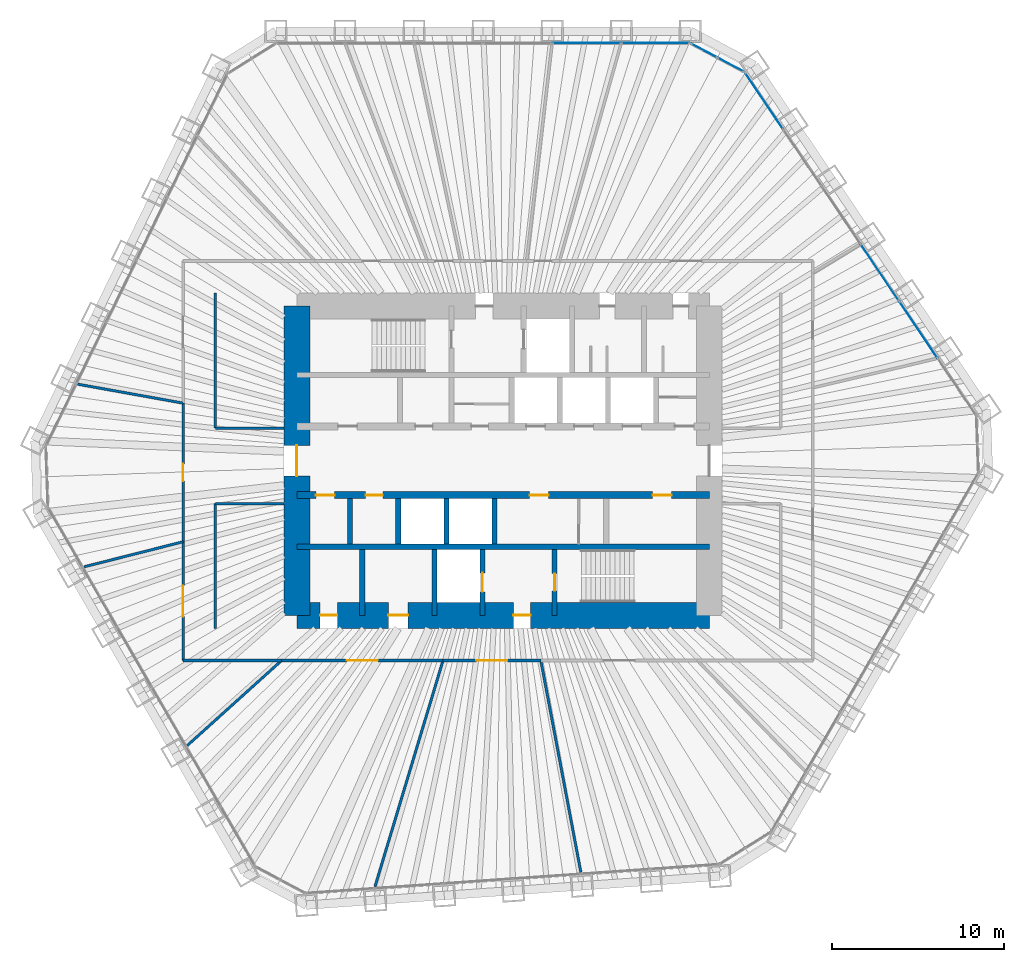
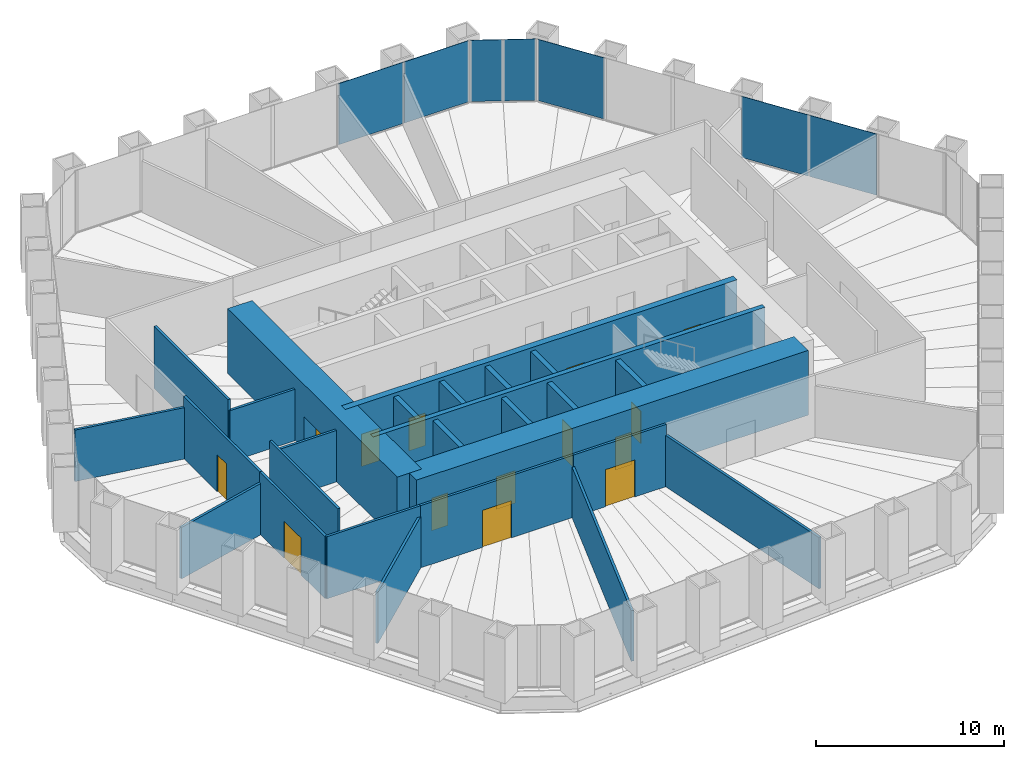
# One storey, part 10 of 13: 26 walls, 14 doors, 7 plates, 14 openings, 3 elements without a shape of their own.
"""IFC4 building model written with IfcOpenShell, lengths in metres."""

from ifc_helpers import new_model, si_unit, direction, frame, frame_2d, origin, origin_2d, place, context, subcontext, project, spatial, rectangle, extrude, material, layer, layer_set, type_object, element, fill, aggregate, save


model = new_model("IFC4")

# Units and contexts
model_context = context("Model", 3, precision=1e-05, world=origin(), true_north=direction((0.0, 1.0)))
body_context = subcontext(model_context, "Body", "Model", "MODEL_VIEW")
ifc_project = project(units=[si_unit("LENGTHUNIT", "METRE"), si_unit("AREAUNIT", "SQUARE_METRE"), si_unit("VOLUMEUNIT", "CUBIC_METRE"), si_unit("PLANEANGLEUNIT", "RADIAN"), si_unit("MASSUNIT", "GRAM", prefix="KILO")], contexts=[model_context])

# Site, building, storey
site_placement = place(None, origin())
site = spatial("IfcSite", under=ifc_project, at=site_placement, CompositionType="ELEMENT")
building_placement = place(site_placement, origin())
building = spatial("IfcBuilding", under=site, at=building_placement, Name="Qingtian Harvest Tower", CompositionType="ELEMENT")
storey_placement = place(building_placement, frame((0.0, 0.0, 132.39990234375)))
storey = spatial("IfcBuildingStorey", under=building, at=storey_placement, Name="L27", CompositionType="ELEMENT", Elevation=132.39990234375)

# Curtain wall, plates
ifc_material_1 = material(Name="Bronze-anodised aluminium curtain wall", Category="aluminium")
curtain_wall_type = type_object("IfcCurtainWallType", Name="Curtain wall CW4 office", PredefinedType="USERDEFINED", material=ifc_material_1)
curtain_wall_1_placement = place(storey_placement, origin())
curtain_wall_1 = element("IfcCurtainWall", 1, at=curtain_wall_1_placement, inside=storey, type_object=curtain_wall_type, Name="Curtain wall CW4 L27 N0-5", ObjectType="RECESSED CURTAIN WALL", PredefinedType="USERDEFINED")
ifc_material_2 = material(Name="Bronze-tinted laminated insulating glass", Category="glass")
ifc_layer_1 = layer(ifc_material_2, 0.030029296875)
ifc_layer_set_1 = layer_set([ifc_layer_1], Name="Glazed panel CWP tinted IGU")
plate_type = type_object("IfcPlateType", Name="Glazed panel CWP tinted IGU", PredefinedType="CURTAIN_PANEL", material=ifc_layer_set_1)
plate_1_placement = place(storey_placement, frame((4.864013671875, 24.300048828125, 0.06494140625), z_axis=(0.0, 0.0, 1.0), x_axis=(1.0, 0.0, 0.0)))
plate_1 = element("IfcPlate", 2, at=plate_1_placement, type_object=plate_type, Name="CW4 panel 5.1", PredefinedType="CURTAIN_PANEL", context=body_context, shape_type="SweptSolid", body=[
    extrude(rectangle(XDim=3.9541015625, YDim=0.030029296875, at=origin_2d()), origin(), (0.0, 0.0, 1.0), 3.965087890625),
])
plate_2_placement = place(storey_placement, frame((8.866943359375, 24.300048828125, 0.06494140625), z_axis=(0.0, 0.0, 1.0), x_axis=(1.0, 0.0, 0.0)))
plate_2 = element("IfcPlate", 3, at=plate_2_placement, type_object=plate_type, Name="CW4 panel 6.1", PredefinedType="CURTAIN_PANEL", context=body_context, shape_type="SweptSolid", body=[
    extrude(rectangle(XDim=3.921630859375, YDim=0.030029296875, at=origin_2d()), origin(), (0.0, 0.0, 1.0), 3.965087890625),
])
aggregate(curtain_wall_1, [plate_1, plate_2])

curtain_wall_2_placement = place(storey_placement, origin())
curtain_wall_2 = element("IfcCurtainWall", 4, at=curtain_wall_2_placement, inside=storey, type_object=curtain_wall_type, Name="Curtain wall CW4 L27 NC", ObjectType="RECESSED CURTAIN WALL", PredefinedType="USERDEFINED")
plate_3_placement = place(storey_placement, frame((11.697509765625, 23.8720703125, 0.06494140625), z_axis=(0.0, 0.0, 1.0), x_axis=(0.882947592859, -0.469471562786, 0.0)))
plate_3 = element("IfcPlate", 5, at=plate_3_placement, type_object=plate_type, Name="CW4 panel 1.1", PredefinedType="CURTAIN_PANEL", context=body_context, shape_type="SweptSolid", body=[
    extrude(rectangle(XDim=1.69287109375, YDim=0.030029296875, at=origin_2d()), origin(), (0.0, 0.0, 1.0), 3.965087890625),
])
plate_4_placement = place(storey_placement, frame((13.249755859375, 23.046875, 0.06494140625), z_axis=(0.0, 0.0, 1.0), x_axis=(0.882947592859, -0.469471562786, 0.0)))
plate_4 = element("IfcPlate", 6, at=plate_4_placement, type_object=plate_type, Name="CW4 panel 2.1", PredefinedType="CURTAIN_PANEL", context=body_context, shape_type="SweptSolid", body=[
    extrude(rectangle(XDim=1.69287109375, YDim=0.030029296875, at=origin_2d()), origin(), (0.0, 0.0, 1.0), 3.965087890625),
])
aggregate(curtain_wall_2, [plate_3, plate_4])

curtain_wall_3_placement = place(storey_placement, origin())
curtain_wall_3 = element("IfcCurtainWall", 7, at=curtain_wall_3_placement, inside=storey, type_object=curtain_wall_type, Name="Curtain wall CW4 L27 NE0-5", ObjectType="RECESSED CURTAIN WALL", PredefinedType="USERDEFINED")
plate_5_placement = place(storey_placement, frame((15.187255859375, 20.939453125, 0.06494140625), z_axis=(0.0, 0.0, 1.0), x_axis=(0.559192903471, -0.829037572555, 0.0)))
plate_5 = element("IfcPlate", 8, at=plate_5_placement, type_object=plate_type, Name="CW4 panel 1.1", PredefinedType="CURTAIN_PANEL", context=body_context, shape_type="SweptSolid", body=[
    extrude(rectangle(XDim=3.921630859375, YDim=0.030029296875, at=origin_2d()), origin(), (0.0, 0.0, 1.0), 3.965087890625),
])
plate_6_placement = place(storey_placement, frame((21.92041015625, 10.95703125, 0.06494140625), z_axis=(0.0, 0.0, 1.0), x_axis=(0.559192903471, -0.829037572555, 0.0)))
plate_6 = element("IfcPlate", 9, at=plate_6_placement, type_object=plate_type, Name="CW4 panel 4.1", PredefinedType="CURTAIN_PANEL", context=body_context, shape_type="SweptSolid", body=[
    extrude(rectangle(XDim=3.9541015625, YDim=0.030029296875, at=origin_2d()), origin(), (0.0, 0.0, 1.0), 3.965087890625),
])
plate_7_placement = place(storey_placement, frame((24.16796875, 7.625, 0.06494140625), z_axis=(0.0, 0.0, 1.0), x_axis=(0.559192903471, -0.829037572555, 0.0)))
plate_7 = element("IfcPlate", 10, at=plate_7_placement, type_object=plate_type, Name="CW4 panel 5.1", PredefinedType="CURTAIN_PANEL", context=body_context, shape_type="SweptSolid", body=[
    extrude(rectangle(XDim=3.9541015625, YDim=0.030029296875, at=origin_2d()), origin(), (0.0, 0.0, 1.0), 3.965087890625),
])
aggregate(curtain_wall_3, [plate_5, plate_6, plate_7])

# Wall
ifc_material_3 = material(Name="Concrete fc' 70 MPa", Category="concrete")
ifc_layer_2 = layer(ifc_material_3, 0.300048828125)
ifc_layer_set_2 = layer_set([ifc_layer_2], Name="Core inner wall RC5 300")
wall_type_1 = type_object("IfcWallType", Name="Core inner wall RC5 300", PredefinedType="SHEAR", material=ifc_layer_set_2)
wall_1_placement = place(storey_placement, frame((-12.0, -5.0, 0.0), z_axis=(0.0, 0.0, 1.0), x_axis=(1.0, 0.0, 0.0)))
element("IfcWall", 11, at=wall_1_placement, inside=storey, type_object=wall_type_1, Name="Core wall IS5 L27", PredefinedType="SHEAR", context=body_context, shape_type="SweptSolid", body=[
    extrude(rectangle(XDim=24.0, YDim=0.300048828125, at=frame_2d((12.0, 0.0))), origin(), (0.0, 0.0, 1.0), 4.2001953125),
])

# Wall, openings, doors
ifc_material_4 = material(Name="Concrete fc' 70 MPa", Category="concrete")
ifc_layer_3 = layer(ifc_material_4, 0.39990234375)
ifc_layer_set_3 = layer_set([ifc_layer_3], Name="Core inner web RC6 400")
wall_type_2 = type_object("IfcWallType", Name="Core inner web RC6 400", PredefinedType="SHEAR", material=ifc_layer_set_3)
wall_2_placement = place(storey_placement, frame((-12.0, -2.0, 0.0), z_axis=(0.0, 0.0, 1.0), x_axis=(1.0, 0.0, 0.0)))
wall_2 = element("IfcWall", 12, at=wall_2_placement, inside=storey, type_object=wall_type_2, Name="Core wall IS2 L27", PredefinedType="SHEAR", context=body_context, shape_type="SweptSolid", body=[
    extrude(rectangle(XDim=24.0, YDim=0.39990234375, at=frame_2d((12.0, 0.0))), origin(), (0.0, 0.0, 1.0), 4.2001953125),
])
opening_1_placement = place(wall_2_placement, frame((1.10009765625, 0.0, 0.0)))
opening_1 = element("IfcOpeningElement", 13, at=opening_1_placement, cuts=wall_2, Name="Opening FD4", PredefinedType="OPENING", context=body_context, shape_type="SweptSolid", body=[
    extrude(rectangle(XDim=1.10009765625, YDim=2.10009765625, at=frame_2d((0.550048828125, 1.050048828125))), frame((0.0, 0.2099609375, 0.0), z_axis=(0.0, -1.0, 0.0), x_axis=(1.0, 0.0, 0.0)), (0.0, 0.0, 1.0), 0.419921875),
])
opening_2_placement = place(wall_2_placement, frame((13.550048828125, 0.0, 0.0)))
opening_2 = element("IfcOpeningElement", 14, at=opening_2_placement, cuts=wall_2, Name="Opening FD4", PredefinedType="OPENING", context=body_context, shape_type="SweptSolid", body=[
    extrude(rectangle(XDim=1.10009765625, YDim=2.10009765625, at=frame_2d((0.550048828125, 1.050048828125))), frame((0.0, 0.2099609375, 0.0), z_axis=(0.0, -1.0, 0.0), x_axis=(1.0, 0.0, 0.0)), (0.0, 0.0, 1.0), 0.419921875),
])
opening_3_placement = place(wall_2_placement, frame((20.699951171875, 0.0, 0.0)))
opening_3 = element("IfcOpeningElement", 15, at=opening_3_placement, cuts=wall_2, Name="Opening FD4", PredefinedType="OPENING", context=body_context, shape_type="SweptSolid", body=[
    extrude(rectangle(XDim=1.10009765625, YDim=2.10009765625, at=frame_2d((0.550048828125, 1.050048828125))), frame((0.0, 0.2099609375, 0.0), z_axis=(0.0, -1.0, 0.0), x_axis=(1.0, 0.0, 0.0)), (0.0, 0.0, 1.0), 0.419921875),
])
opening_4_placement = place(wall_2_placement, frame((4.0, 0.0, 0.0)))
opening_4 = element("IfcOpeningElement", 16, at=opening_4_placement, cuts=wall_2, Name="Opening FD1", PredefinedType="OPENING", context=body_context, shape_type="SweptSolid", body=[
    extrude(rectangle(XDim=1.0, YDim=2.10009765625, at=frame_2d((0.5, 1.050048828125))), frame((0.0, 0.2099609375, 0.0), z_axis=(0.0, -1.0, 0.0), x_axis=(1.0, 0.0, 0.0)), (0.0, 0.0, 1.0), 0.419921875),
])
ifc_material_5 = material(Name="Steel-faced door leaf", Category="steel")
door_type_1 = type_object("IfcDoorType", Name="Fire door FD1 single 1 HR", OperationType="SINGLE_SWING_LEFT", PredefinedType="DOOR", material=ifc_material_5)
door_1_placement = place(opening_4_placement, origin())
door_1 = element("IfcDoor", 17, at=door_1_placement, inside=storey, type_object=door_type_1, Name="IT room door L27", OperationType="SINGLE_SWING_RIGHT", OverallHeight=2.10009765625, OverallWidth=1.0, PredefinedType="DOOR", context=body_context, shape_type="SweptSolid", body=[
    extrude(rectangle(XDim=1.0, YDim=2.10009765625, at=frame_2d((0.5, 1.050048828125))), frame((0.0, 0.02490234375, 0.0), z_axis=(0.0, -1.0, 0.0), x_axis=(1.0, 0.0, 0.0)), (0.0, 0.0, 1.0), 0.050048828125),
])
fill(opening_4, door_1)
ifc_material_6 = material(Name="Steel-faced door leaf", Category="steel")
door_type_2 = type_object("IfcDoorType", Name="Fire door FD4 single 2 HR", OperationType="SINGLE_SWING_LEFT", PredefinedType="DOOR", material=ifc_material_6)
door_2_placement = place(opening_1_placement, origin())
door_2 = element("IfcDoor", 18, at=door_2_placement, inside=storey, type_object=door_type_2, Name="RB door L27", OperationType="SINGLE_SWING_LEFT", OverallHeight=2.10009765625, OverallWidth=1.10009765625, PredefinedType="DOOR", context=body_context, shape_type="SweptSolid", body=[
    extrude(rectangle(XDim=1.10009765625, YDim=2.10009765625, at=frame_2d((0.550048828125, 1.050048828125))), frame((0.0, 0.02490234375, 0.0), z_axis=(0.0, -1.0, 0.0), x_axis=(1.0, 0.0, 0.0)), (0.0, 0.0, 1.0), 0.050048828125),
])
fill(opening_1, door_2)
door_3_placement = place(opening_2_placement, origin())
door_3 = element("IfcDoor", 19, at=door_3_placement, inside=storey, type_object=door_type_2, Name="ELEC door L27", OperationType="SINGLE_SWING_LEFT", OverallHeight=2.10009765625, OverallWidth=1.10009765625, PredefinedType="DOOR", context=body_context, shape_type="SweptSolid", body=[
    extrude(rectangle(XDim=1.10009765625, YDim=2.10009765625, at=frame_2d((0.550048828125, 1.050048828125))), frame((0.0, 0.02490234375, 0.0), z_axis=(0.0, -1.0, 0.0), x_axis=(1.0, 0.0, 0.0)), (0.0, 0.0, 1.0), 0.050048828125),
])
fill(opening_2, door_3)
door_4_placement = place(opening_3_placement, origin())
door_4 = element("IfcDoor", 20, at=door_4_placement, inside=storey, type_object=door_type_2, Name="DUCT door L27", OperationType="SINGLE_SWING_RIGHT", OverallHeight=2.10009765625, OverallWidth=1.10009765625, PredefinedType="DOOR", context=body_context, shape_type="SweptSolid", body=[
    extrude(rectangle(XDim=1.10009765625, YDim=2.10009765625, at=frame_2d((0.550048828125, 1.050048828125))), frame((0.0, 0.02490234375, 0.0), z_axis=(0.0, -1.0, 0.0), x_axis=(1.0, 0.0, 0.0)), (0.0, 0.0, 1.0), 0.050048828125),
])
fill(opening_3, door_4)

# Walls
ifc_material_7 = material(Name="Precast concrete shaft panel", Category="concrete")
ifc_layer_4 = layer(ifc_material_7, 0.300048828125)
ifc_layer_set_4 = layer_set([ifc_layer_4], Name="Core shaft partition SW1 300")
wall_type_3 = type_object("IfcWallType", Name="Core shaft partition SW1 300", PredefinedType="PARTITIONING", material=ifc_layer_set_4)
for number, where, z_axis, x_axis, name in (
    (21, (-8.89990234375, -4.85009765625, 0.0), (0.0, 0.0, 1.0), (0.0, 1.0, 0.0), "Core shaft partition XB1 L27"),
    (22, (-6.10009765625, -4.85009765625, 0.0), (0.0, 0.0, 1.0), (0.0, 1.0, 0.0), "Core shaft partition XB2 L27"),
    (23, (-3.300048828125, -4.85009765625, 0.0), (0.0, 0.0, 1.0), (0.0, 1.0, 0.0), "Core shaft partition XB3 L27"),
    (24, (-0.5, -4.85009765625, 0.0), (0.0, 0.0, 1.0), (0.0, 1.0, 0.0), "Core shaft partition XB4 L27"),
):
    element("IfcWall", number, at=place(storey_placement, frame(where, z_axis=z_axis, x_axis=x_axis)), inside=storey, type_object=wall_type_3, Name=name, PredefinedType="PARTITIONING", context=body_context, shape_type="SweptSolid", body=[
        extrude(rectangle(XDim=2.650146484375, YDim=0.300048828125, at=frame_2d((1.3251953125, 0.0))), origin(), (0.0, 0.0, 1.0), 3.97998046875),
    ])
for number, where, z_axis, x_axis, name in (
    (25, (-8.199951171875, -9.0, 0.0), (0.0, 0.0, 1.0), (0.0, 1.0, 0.0), "Core shaft partition XS1 L27"),
    (26, (-4.0, -9.0, 0.0), (0.0, 0.0, 1.0), (0.0, 1.0, 0.0), "Core shaft partition XS2 L27"),
):
    element("IfcWall", number, at=place(storey_placement, frame(where, z_axis=z_axis, x_axis=x_axis)), inside=storey, type_object=wall_type_3, Name=name, PredefinedType="PARTITIONING", context=body_context, shape_type="SweptSolid", body=[
        extrude(rectangle(XDim=3.85009765625, YDim=0.300048828125, at=frame_2d((1.925048828125, 0.0))), origin(), (0.0, 0.0, 1.0), 3.97998046875),
    ])

# Wall, opening, door
wall_3_placement = place(storey_placement, frame((-1.199951171875, -9.0, 0.0), z_axis=(0.0, 0.0, 1.0), x_axis=(0.0, 1.0, 0.0)))
wall_3 = element("IfcWall", 27, at=wall_3_placement, inside=storey, type_object=wall_type_3, Name="Core shaft partition XS3 L27", PredefinedType="PARTITIONING", context=body_context, shape_type="SweptSolid", body=[
    extrude(rectangle(XDim=3.85009765625, YDim=0.300048828125, at=frame_2d((1.925048828125, 0.0))), origin(), (0.0, 0.0, 1.0), 3.97998046875),
])
opening_5_placement = place(wall_3_placement, frame((1.375, 0.0, 0.0)))
opening_5 = element("IfcOpeningElement", 28, at=opening_5_placement, cuts=wall_3, Name="Opening LD1", PredefinedType="OPENING", context=body_context, shape_type="SweptSolid", body=[
    extrude(rectangle(XDim=1.10009765625, YDim=2.39990234375, at=frame_2d((0.550048828125, 1.199951171875))), frame((0.0, 0.159912109375, 0.0), z_axis=(0.0, -1.0, 0.0), x_axis=(1.0, 0.0, 0.0)), (0.0, 0.0, 1.0), 0.320068359375),
])
ifc_material_8 = material(Name="Stainless steel lift landing door", Category="steel")
door_type_3 = type_object("IfcDoorType", Name="Lift landing door LD1 1 HR", OperationType="DOUBLE_DOOR_SLIDING", PredefinedType="DOOR", material=ifc_material_8)
door_5_placement = place(opening_5_placement, origin())
door_5 = element("IfcDoor", 29, at=door_5_placement, inside=storey, type_object=door_type_3, Name="FL2 landing door L27", OperationType="DOUBLE_DOOR_SLIDING", OverallHeight=2.39990234375, OverallWidth=1.10009765625, PredefinedType="DOOR", context=body_context, shape_type="SweptSolid", body=[
    extrude(rectangle(XDim=1.10009765625, YDim=2.39990234375, at=frame_2d((0.550048828125, 1.199951171875))), frame((0.0, 0.02490234375, 0.0), z_axis=(0.0, -1.0, 0.0), x_axis=(1.0, 0.0, 0.0)), (0.0, 0.0, 1.0), 0.050048828125),
])
fill(opening_5, door_5)

wall_4_placement = place(storey_placement, frame((3.0, -9.0, 0.0), z_axis=(0.0, 0.0, 1.0), x_axis=(0.0, 1.0, 0.0)))
wall_4 = element("IfcWall", 30, at=wall_4_placement, inside=storey, type_object=wall_type_3, Name="Core shaft partition XS4 L27", PredefinedType="PARTITIONING", context=body_context, shape_type="SweptSolid", body=[
    extrude(rectangle(XDim=3.85009765625, YDim=0.300048828125, at=frame_2d((1.925048828125, 0.0))), origin(), (0.0, 0.0, 1.0), 3.97998046875),
])
opening_6_placement = place(wall_4_placement, frame((1.425048828125, 0.0, 0.0)))
opening_6 = element("IfcOpeningElement", 31, at=opening_6_placement, cuts=wall_4, Name="Opening FD1", PredefinedType="OPENING", context=body_context, shape_type="SweptSolid", body=[
    extrude(rectangle(XDim=1.0, YDim=2.10009765625, at=frame_2d((0.5, 1.050048828125))), frame((0.0, 0.159912109375, 0.0), z_axis=(0.0, -1.0, 0.0), x_axis=(1.0, 0.0, 0.0)), (0.0, 0.0, 1.0), 0.320068359375),
])
door_6_placement = place(opening_6_placement, origin())
door_6 = element("IfcDoor", 32, at=door_6_placement, inside=storey, type_object=door_type_1, Name="S2 door L27", OperationType="SINGLE_SWING_RIGHT", OverallHeight=2.10009765625, OverallWidth=1.0, PredefinedType="DOOR", context=body_context, shape_type="SweptSolid", body=[
    extrude(rectangle(XDim=1.0, YDim=2.10009765625, at=frame_2d((0.5, 1.050048828125))), frame((0.0, 0.02490234375, 0.0), z_axis=(0.0, -1.0, 0.0), x_axis=(1.0, 0.0, 0.0)), (0.0, 0.0, 1.0), 0.050048828125),
])
fill(opening_6, door_6)

# Wall, openings, doors
ifc_material_9 = material(Name="Concrete fc' 70 MPa", Category="concrete")
ifc_layer_5 = layer(ifc_material_9, 1.5)
ifc_layer_set_5 = layer_set([ifc_layer_5], Name="Core wall RC1 1500")
wall_type_4 = type_object("IfcWallType", Name="Core wall RC1 1500", PredefinedType="SHEAR", material=ifc_layer_set_5)
wall_5_placement = place(storey_placement, frame((-12.0, -9.0, 0.0), z_axis=(0.0, 0.0, 1.0), x_axis=(1.0, 0.0, 0.0)))
wall_5 = element("IfcWall", 33, at=wall_5_placement, inside=storey, type_object=wall_type_4, Name="Core wall CS L27", PredefinedType="SHEAR", context=body_context, shape_type="SweptSolid", body=[
    extrude(rectangle(XDim=24.0, YDim=1.5, at=frame_2d((12.0, 0.0))), origin(), (0.0, 0.0, 1.0), 4.2001953125),
])
opening_7_placement = place(wall_5_placement, frame((1.35009765625, 0.0, 0.0)))
opening_7 = element("IfcOpeningElement", 34, at=opening_7_placement, cuts=wall_5, Name="Opening FD1", PredefinedType="OPENING", context=body_context, shape_type="SweptSolid", body=[
    extrude(rectangle(XDim=1.0, YDim=2.10009765625, at=frame_2d((0.5, 1.050048828125))), frame((0.0, 0.760009765625, 0.0), z_axis=(0.0, -1.0, 0.0), x_axis=(1.0, 0.0, 0.0)), (0.0, 0.0, 1.0), 1.52001953125),
])
opening_8_placement = place(wall_5_placement, frame((5.324951171875, 0.0, 0.0)))
opening_8 = element("IfcOpeningElement", 35, at=opening_8_placement, cuts=wall_5, Name="Opening AD1", PredefinedType="OPENING", context=body_context, shape_type="SweptSolid", body=[
    extrude(rectangle(XDim=1.14990234375, YDim=2.10009765625, at=frame_2d((0.574951171875, 1.050048828125))), frame((0.0, 0.760009765625, 0.0), z_axis=(0.0, -1.0, 0.0), x_axis=(1.0, 0.0, 0.0)), (0.0, 0.0, 1.0), 1.52001953125),
])
opening_9_placement = place(wall_5_placement, frame((12.60009765625, 0.0, 0.0)))
opening_9 = element("IfcOpeningElement", 36, at=opening_9_placement, cuts=wall_5, Name="Opening FD1", PredefinedType="OPENING", context=body_context, shape_type="SweptSolid", body=[
    extrude(rectangle(XDim=1.0, YDim=2.10009765625, at=frame_2d((0.5, 1.050048828125))), frame((0.0, 0.760009765625, 0.0), z_axis=(0.0, -1.0, 0.0), x_axis=(1.0, 0.0, 0.0)), (0.0, 0.0, 1.0), 1.52001953125),
])
ifc_material_10 = material(Name="Laminated timber door leaf", Category="wood")
door_type_4 = type_object("IfcDoorType", Name="Accessible WC door AD1 single", OperationType="SINGLE_SWING_LEFT", PredefinedType="DOOR", material=ifc_material_10)
door_7_placement = place(opening_8_placement, origin())
door_7 = element("IfcDoor", 37, at=door_7_placement, inside=storey, type_object=door_type_4, Name="AWC door L27", OperationType="SINGLE_SWING_RIGHT", OverallHeight=2.10009765625, OverallWidth=1.14990234375, PredefinedType="DOOR", context=body_context, shape_type="SweptSolid", body=[
    extrude(rectangle(XDim=1.14990234375, YDim=2.10009765625, at=frame_2d((0.574951171875, 1.050048828125))), frame((0.0, 0.02490234375, 0.0), z_axis=(0.0, -1.0, 0.0), x_axis=(1.0, 0.0, 0.0)), (0.0, 0.0, 1.0), 0.050048828125),
])
fill(opening_8, door_7)
door_8_placement = place(opening_7_placement, origin())
door_8 = element("IfcDoor", 38, at=door_8_placement, inside=storey, type_object=door_type_1, Name="CLN door L27", OperationType="SINGLE_SWING_LEFT", OverallHeight=2.10009765625, OverallWidth=1.0, PredefinedType="DOOR", context=body_context, shape_type="SweptSolid", body=[
    extrude(rectangle(XDim=1.0, YDim=2.10009765625, at=frame_2d((0.5, 1.050048828125))), frame((0.0, 0.02490234375, 0.0), z_axis=(0.0, -1.0, 0.0), x_axis=(1.0, 0.0, 0.0)), (0.0, 0.0, 1.0), 0.050048828125),
])
fill(opening_7, door_8)
door_9_placement = place(opening_9_placement, origin())
door_9 = element("IfcDoor", 39, at=door_9_placement, inside=storey, type_object=door_type_1, Name="V2 door L27", OperationType="SINGLE_SWING_RIGHT", OverallHeight=2.10009765625, OverallWidth=1.0, PredefinedType="DOOR", context=body_context, shape_type="SweptSolid", body=[
    extrude(rectangle(XDim=1.0, YDim=2.10009765625, at=frame_2d((0.5, 1.050048828125))), frame((0.0, 0.02490234375, 0.0), z_axis=(0.0, -1.0, 0.0), x_axis=(1.0, 0.0, 0.0)), (0.0, 0.0, 1.0), 0.050048828125),
])
fill(opening_9, door_9)

# Wall, opening, door
wall_6_placement = place(storey_placement, frame((-12.0, -9.0, 0.0), z_axis=(0.0, 0.0, 1.0), x_axis=(0.0, 1.0, 0.0)))
wall_6 = element("IfcWall", 40, at=wall_6_placement, inside=storey, type_object=wall_type_4, Name="Core wall CW L27", PredefinedType="SHEAR", context=body_context, shape_type="SweptSolid", body=[
    extrude(rectangle(XDim=18.0, YDim=1.5, at=frame_2d((9.0, 0.0))), origin(), (0.0, 0.0, 1.0), 4.2001953125),
])
opening_10_placement = place(wall_6_placement, frame((8.10009765625, 0.0, 0.0)))
opening_10 = element("IfcOpeningElement", 41, at=opening_10_placement, cuts=wall_6, Name="Opening FD2", PredefinedType="OPENING", context=body_context, shape_type="SweptSolid", body=[
    extrude(rectangle(XDim=1.800048828125, YDim=2.10009765625, at=frame_2d((0.89990234375, 1.050048828125))), frame((0.0, 0.760009765625, 0.0), z_axis=(0.0, -1.0, 0.0), x_axis=(1.0, 0.0, 0.0)), (0.0, 0.0, 1.0), 1.52001953125),
])
ifc_material_11 = material(Name="Steel-faced door leaf", Category="steel")
door_type_5 = type_object("IfcDoorType", Name="Fire door FD2 double 1 HR", OperationType="DOUBLE_DOOR_DOUBLE_SWING", PredefinedType="DOOR", material=ifc_material_11)
door_10_placement = place(opening_10_placement, origin())
door_10 = element("IfcDoor", 42, at=door_10_placement, inside=storey, type_object=door_type_5, Name="LOBBY-W door L27", OperationType="DOUBLE_DOOR_DOUBLE_SWING", OverallHeight=2.10009765625, OverallWidth=1.800048828125, PredefinedType="DOOR", context=body_context, shape_type="SweptSolid", body=[
    extrude(rectangle(XDim=1.800048828125, YDim=2.10009765625, at=frame_2d((0.89990234375, 1.050048828125))), frame((0.0, 0.02490234375, 0.0), z_axis=(0.0, -1.0, 0.0), x_axis=(1.0, 0.0, 0.0)), (0.0, 0.0, 1.0), 0.050048828125),
])
fill(opening_10, door_10)

# Wall
ifc_material_12 = material(Name="Gypsum board on steel studs", Category="steel")
ifc_layer_6 = layer(ifc_material_12, 0.14990234375)
ifc_layer_set_6 = layer_set([ifc_layer_6], Name="Partition PT1 150")
wall_type_5 = type_object("IfcWallType", Name="Partition PT1 150", PredefinedType="PARTITIONING", material=ifc_layer_set_6)
wall_7_placement = place(storey_placement, frame((4.524169921875, -23.943359375, 0.0), z_axis=(0.0, 0.0, 1.0), x_axis=(-0.185671124909, 0.98261194445, 0.0)))
element("IfcWall", 43, at=wall_7_placement, inside=storey, type_object=wall_type_5, Name="Seminar room wall L27", PredefinedType="PARTITIONING", context=body_context, shape_type="SweptSolid", body=[
    extrude(rectangle(XDim=12.536376953125, YDim=0.14990234375, at=frame_2d((6.26806640625, 0.0))), origin(), (0.0, 0.0, 1.0), 3.330078125),
])

# Wall, opening, door
wall_8_placement = place(storey_placement, frame((2.196533203125, -11.625, 0.0), z_axis=(0.0, 0.0, 1.0), x_axis=(-1.0, 0.0, 0.0)))
wall_8 = element("IfcWall", 44, at=wall_8_placement, inside=storey, type_object=wall_type_5, Name="Seminar room wall L27", PredefinedType="PARTITIONING", context=body_context, shape_type="SweptSolid", body=[
    extrude(rectangle(XDim=5.693603515625, YDim=0.14990234375, at=frame_2d((2.8466796875, 0.0))), origin(), (0.0, 0.0, 1.0), 4.030029296875),
])
opening_11_placement = place(wall_8_placement, frame((1.94677734375, 0.0, 0.0)))
opening_11 = element("IfcOpeningElement", 45, at=opening_11_placement, cuts=wall_8, Name="Opening D3", PredefinedType="OPENING", context=body_context, shape_type="SweptSolid", body=[
    extrude(rectangle(XDim=1.800048828125, YDim=2.39990234375, at=frame_2d((0.89990234375, 1.199951171875))), frame((0.0, 0.0849609375, 0.0), z_axis=(0.0, -1.0, 0.0), x_axis=(1.0, 0.0, 0.0)), (0.0, 0.0, 1.0), 0.169921875),
])
ifc_material_13 = material(Name="Laminated timber door leaf", Category="wood")
door_type_6 = type_object("IfcDoorType", Name="Room door D3 double", OperationType="DOUBLE_DOOR_DOUBLE_SWING", PredefinedType="DOOR", material=ifc_material_13)
door_11_placement = place(opening_11_placement, origin())
door_11 = element("IfcDoor", 46, at=door_11_placement, inside=storey, type_object=door_type_6, Name="Seminar room door L27", OperationType="DOUBLE_DOOR_DOUBLE_SWING", OverallHeight=2.39990234375, OverallWidth=1.800048828125, PredefinedType="DOOR", context=body_context, shape_type="SweptSolid", body=[
    extrude(rectangle(XDim=1.800048828125, YDim=2.39990234375, at=frame_2d((0.89990234375, 1.199951171875))), frame((0.0, 0.02490234375, 0.0), z_axis=(0.0, -1.0, 0.0), x_axis=(1.0, 0.0, 0.0)), (0.0, 0.0, 1.0), 0.050048828125),
])
fill(opening_11, door_11)

# Wall
wall_9_placement = place(storey_placement, frame((-7.456298828125, -24.787109375, 0.0), z_axis=(0.0, 0.0, 1.0), x_axis=(0.288055049501, 0.957613851433, 0.0)))
element("IfcWall", 47, at=wall_9_placement, inside=storey, type_object=wall_type_5, Name="Office suite wall L27", PredefinedType="PARTITIONING", context=body_context, shape_type="SweptSolid", body=[
    extrude(rectangle(XDim=13.74462890625, YDim=0.14990234375, at=frame_2d((6.872314453125, 0.0))), origin(), (0.0, 0.0, 1.0), 3.280029296875),
])

# Wall, opening, door
wall_10_placement = place(storey_placement, frame((-3.4970703125, -11.625, 0.0), z_axis=(0.0, 0.0, 1.0), x_axis=(-1.0, 0.0, 0.0)))
wall_10 = element("IfcWall", 48, at=wall_10_placement, inside=storey, type_object=wall_type_5, Name="Office suite wall L27", PredefinedType="PARTITIONING", context=body_context, shape_type="SweptSolid", body=[
    extrude(rectangle(XDim=9.39501953125, YDim=0.14990234375, at=frame_2d((4.697509765625, 0.0))), origin(), (0.0, 0.0, 1.0), 4.030029296875),
])
opening_12_placement = place(wall_10_placement, frame((3.797607421875, 0.0, 0.0)))
opening_12 = element("IfcOpeningElement", 49, at=opening_12_placement, cuts=wall_10, Name="Opening D3", PredefinedType="OPENING", context=body_context, shape_type="SweptSolid", body=[
    extrude(rectangle(XDim=1.800048828125, YDim=2.39990234375, at=frame_2d((0.89990234375, 1.199951171875))), frame((0.0, 0.0849609375, 0.0), z_axis=(0.0, -1.0, 0.0), x_axis=(1.0, 0.0, 0.0)), (0.0, 0.0, 1.0), 0.169921875),
])
door_12_placement = place(opening_12_placement, origin())
door_12 = element("IfcDoor", 50, at=door_12_placement, inside=storey, type_object=door_type_6, Name="Office suite door L27", OperationType="DOUBLE_DOOR_DOUBLE_SWING", OverallHeight=2.39990234375, OverallWidth=1.800048828125, PredefinedType="DOOR", context=body_context, shape_type="SweptSolid", body=[
    extrude(rectangle(XDim=1.800048828125, YDim=2.39990234375, at=frame_2d((0.89990234375, 1.199951171875))), frame((0.0, 0.02490234375, 0.0), z_axis=(0.0, -1.0, 0.0), x_axis=(1.0, 0.0, 0.0)), (0.0, 0.0, 1.0), 0.050048828125),
])
fill(opening_12, door_12)

# Walls
wall_11_placement = place(storey_placement, frame((-18.37841796875, -16.572021484375, 0.0), z_axis=(0.0, 0.0, 1.0), x_axis=(0.742666079924, 0.669661924951, 0.0)))
element("IfcWall", 51, at=wall_11_placement, inside=storey, type_object=wall_type_5, Name="Tenant lounge wall L27", PredefinedType="PARTITIONING", context=body_context, shape_type="SweptSolid", body=[
    extrude(rectangle(XDim=7.387451171875, YDim=0.14990234375, at=frame_2d((3.69384765625, 0.0))), origin(), (0.0, 0.0, 1.0), 3.330078125),
])
wall_12_placement = place(storey_placement, frame((-12.89208984375, -11.625, 0.0), z_axis=(0.0, 0.0, 1.0), x_axis=(-1.0, 0.0, 0.0)))
element("IfcWall", 52, at=wall_12_placement, inside=storey, type_object=wall_type_5, Name="Tenant lounge wall L27", PredefinedType="PARTITIONING", context=body_context, shape_type="SweptSolid", body=[
    extrude(rectangle(XDim=5.73291015625, YDim=0.14990234375, at=frame_2d((2.866455078125, 0.0))), origin(), (0.0, 0.0, 1.0), 4.030029296875),
])

# Wall, opening, door
wall_13_placement = place(storey_placement, frame((-18.625, -11.625, 0.0), z_axis=(0.0, 0.0, 1.0), x_axis=(0.0, 1.0, 0.0)))
wall_13 = element("IfcWall", 53, at=wall_13_placement, inside=storey, type_object=wall_type_5, Name="Tenant lounge wall L27", PredefinedType="PARTITIONING", context=body_context, shape_type="SweptSolid", body=[
    extrude(rectangle(XDim=6.91015625, YDim=0.14990234375, at=frame_2d((3.455078125, 0.0))), origin(), (0.0, 0.0, 1.0), 4.030029296875),
])
opening_13_placement = place(wall_13_placement, frame((2.55517578125, 0.0, 0.0)))
opening_13 = element("IfcOpeningElement", 54, at=opening_13_placement, cuts=wall_13, Name="Opening D3", PredefinedType="OPENING", context=body_context, shape_type="SweptSolid", body=[
    extrude(rectangle(XDim=1.800048828125, YDim=2.39990234375, at=frame_2d((0.89990234375, 1.199951171875))), frame((0.0, 0.0849609375, 0.0), z_axis=(0.0, -1.0, 0.0), x_axis=(1.0, 0.0, 0.0)), (0.0, 0.0, 1.0), 0.169921875),
])
door_13_placement = place(opening_13_placement, origin())
door_13 = element("IfcDoor", 55, at=door_13_placement, inside=storey, type_object=door_type_6, Name="Tenant lounge door L27", OperationType="DOUBLE_DOOR_DOUBLE_SWING", OverallHeight=2.39990234375, OverallWidth=1.800048828125, PredefinedType="DOOR", context=body_context, shape_type="SweptSolid", body=[
    extrude(rectangle(XDim=1.800048828125, YDim=2.39990234375, at=frame_2d((0.89990234375, 1.199951171875))), frame((0.0, 0.02490234375, 0.0), z_axis=(0.0, -1.0, 0.0), x_axis=(1.0, 0.0, 0.0)), (0.0, 0.0, 1.0), 0.050048828125),
])
fill(opening_13, door_13)

# Wall
wall_14_placement = place(storey_placement, frame((-24.38427734375, -6.172607421875, 0.0), z_axis=(0.0, 0.0, 1.0), x_axis=(0.969427635767, 0.245377380804, 0.0)))
element("IfcWall", 56, at=wall_14_placement, inside=storey, type_object=wall_type_5, Name="Quiet room wall L27", PredefinedType="PARTITIONING", context=body_context, shape_type="SweptSolid", body=[
    extrude(rectangle(XDim=5.94091796875, YDim=0.14990234375, at=frame_2d((2.970458984375, 0.0))), origin(), (0.0, 0.0, 1.0), 3.330078125),
])

# Wall, opening, door
wall_15_placement = place(storey_placement, frame((-18.625, -4.71484375, 0.0), z_axis=(0.0, 0.0, 1.0), x_axis=(0.0, 1.0, 0.0)))
wall_15 = element("IfcWall", 57, at=wall_15_placement, inside=storey, type_object=wall_type_5, Name="Quiet room wall L27", PredefinedType="PARTITIONING", context=body_context, shape_type="SweptSolid", body=[
    extrude(rectangle(XDim=8.06787109375, YDim=0.14990234375, at=frame_2d((4.033935546875, 0.0))), origin(), (0.0, 0.0, 1.0), 4.030029296875),
])
opening_14_placement = place(wall_15_placement, frame((3.533935546875, 0.0, 0.0)))
opening_14 = element("IfcOpeningElement", 58, at=opening_14_placement, cuts=wall_15, Name="Opening D2", PredefinedType="OPENING", context=body_context, shape_type="SweptSolid", body=[
    extrude(rectangle(XDim=1.0, YDim=2.39990234375, at=frame_2d((0.5, 1.199951171875))), frame((0.0, 0.0849609375, 0.0), z_axis=(0.0, -1.0, 0.0), x_axis=(1.0, 0.0, 0.0)), (0.0, 0.0, 1.0), 0.169921875),
])
ifc_material_14 = material(Name="Laminated timber door leaf", Category="wood")
door_type_7 = type_object("IfcDoorType", Name="Room door D2 single", OperationType="SINGLE_SWING_LEFT", PredefinedType="DOOR", material=ifc_material_14)
door_14_placement = place(opening_14_placement, origin())
door_14 = element("IfcDoor", 59, at=door_14_placement, inside=storey, type_object=door_type_7, Name="Quiet room door L27", OperationType="SINGLE_SWING_LEFT", OverallHeight=2.39990234375, OverallWidth=1.0, PredefinedType="DOOR", context=body_context, shape_type="SweptSolid", body=[
    extrude(rectangle(XDim=1.0, YDim=2.39990234375, at=frame_2d((0.5, 1.199951171875))), frame((0.0, 0.02490234375, 0.0), z_axis=(0.0, -1.0, 0.0), x_axis=(1.0, 0.0, 0.0)), (0.0, 0.0, 1.0), 0.050048828125),
])
fill(opening_14, door_14)

# Walls
wall_16_placement = place(storey_placement, frame((-24.75537109375, 4.456787109375, 0.0), z_axis=(0.0, 0.0, 1.0), x_axis=(0.984175122587, -0.177198555524, 0.0)))
element("IfcWall", 60, at=wall_16_placement, inside=storey, type_object=wall_type_5, Name="Exercise studio wall L27", PredefinedType="PARTITIONING", context=body_context, shape_type="SweptSolid", body=[
    extrude(rectangle(XDim=6.22900390625, YDim=0.14990234375, at=frame_2d((3.114501953125, 0.0))), origin(), (0.0, 0.0, 1.0), 3.330078125),
])
wall_17_placement = place(storey_placement, frame((-16.75, 1.89990234375, 0.0), z_axis=(0.0, 0.0, 1.0), x_axis=(0.0, 1.0, 0.0)))
element("IfcWall", 61, at=wall_17_placement, inside=storey, type_object=wall_type_5, Name="Reading area wall L27", PredefinedType="PARTITIONING", context=body_context, shape_type="SweptSolid", body=[
    extrude(rectangle(XDim=7.85009765625, YDim=0.14990234375, at=frame_2d((3.925048828125, 0.0))), origin(), (0.0, 0.0, 1.0), 4.030029296875),
])
wall_18_placement = place(storey_placement, frame((-12.75, 1.89990234375, 0.0), z_axis=(0.0, 0.0, 1.0), x_axis=(-1.0, 0.0, 0.0)))
element("IfcWall", 62, at=wall_18_placement, inside=storey, type_object=wall_type_5, Name="Reading area wall L27", PredefinedType="PARTITIONING", context=body_context, shape_type="SweptSolid", body=[
    extrude(rectangle(XDim=4.0, YDim=0.14990234375, at=frame_2d((2.0, 0.0))), origin(), (0.0, 0.0, 1.0), 3.330078125),
])
wall_19_placement = place(storey_placement, frame((-16.75, -9.75, 0.0), z_axis=(0.0, 0.0, 1.0), x_axis=(0.0, 1.0, 0.0)))
element("IfcWall", 63, at=wall_19_placement, inside=storey, type_object=wall_type_5, Name="Coffee point wall L27", PredefinedType="PARTITIONING", context=body_context, shape_type="SweptSolid", body=[
    extrude(rectangle(XDim=7.25, YDim=0.14990234375, at=frame_2d((3.625, 0.0))), origin(), (0.0, 0.0, 1.0), 4.030029296875),
])
wall_20_placement = place(storey_placement, frame((-12.75, -2.5, 0.0), z_axis=(0.0, 0.0, 1.0), x_axis=(-1.0, 0.0, 0.0)))
element("IfcWall", 64, at=wall_20_placement, inside=storey, type_object=wall_type_5, Name="Coffee point wall L27", PredefinedType="PARTITIONING", context=body_context, shape_type="SweptSolid", body=[
    extrude(rectangle(XDim=4.0, YDim=0.14990234375, at=frame_2d((2.0, 0.0))), origin(), (0.0, 0.0, 1.0), 3.330078125),
])

save(model, "model.ifc")
